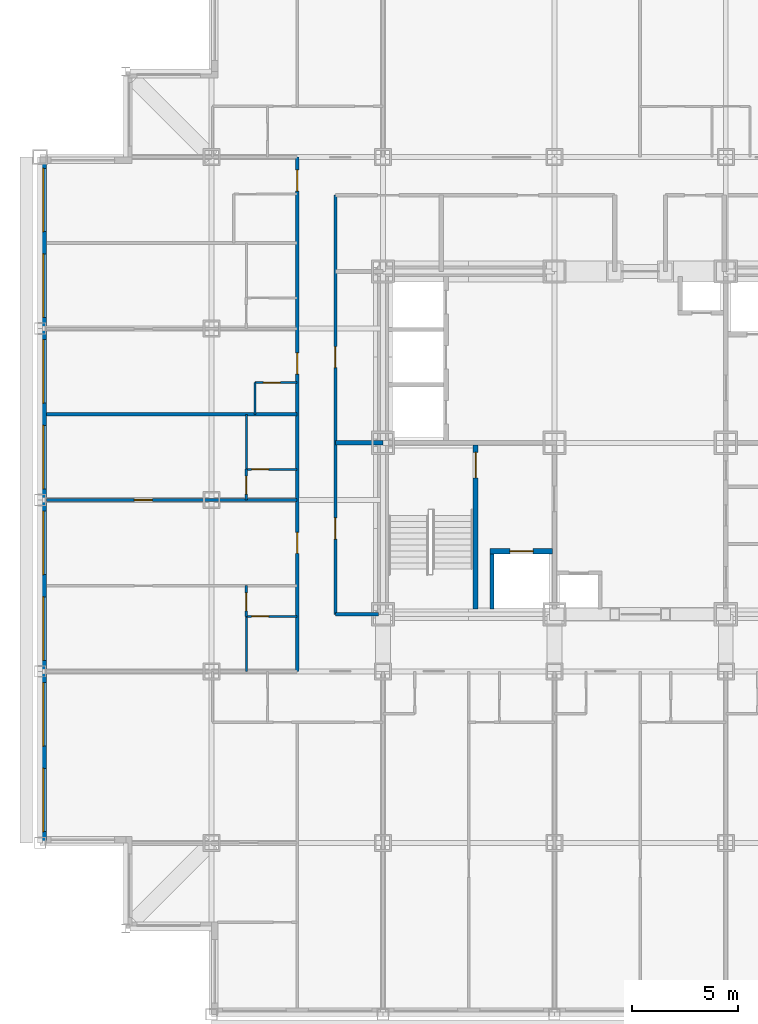
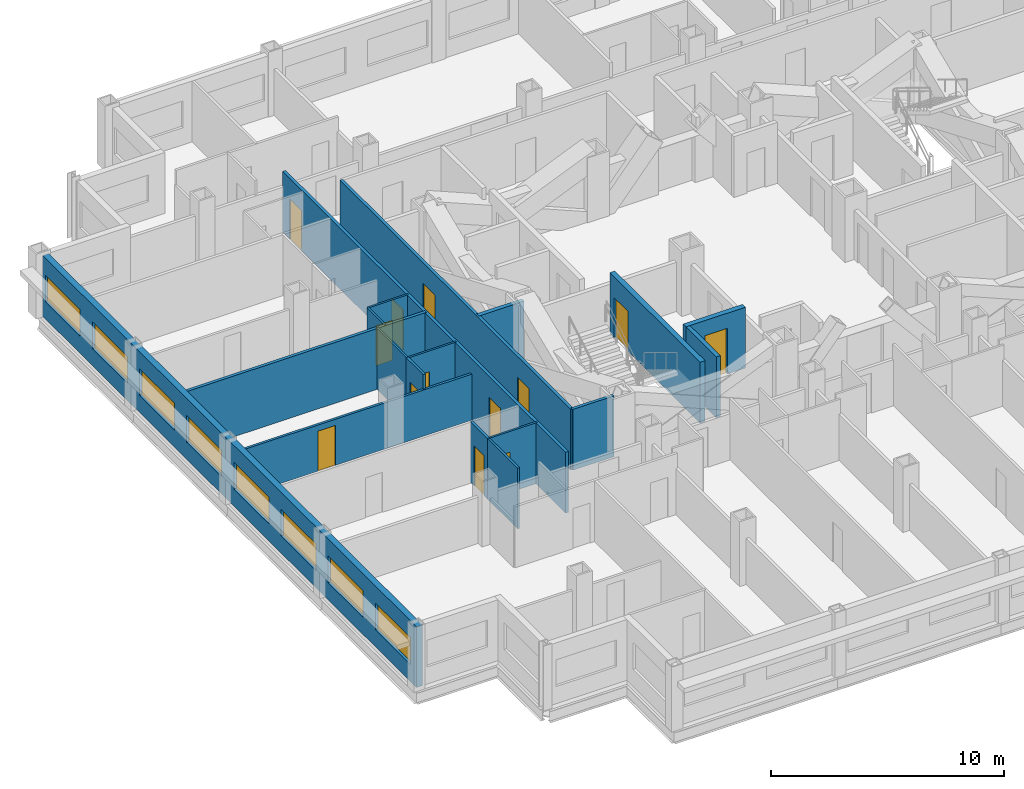
# One storey, part 5 of 12: 18 walls, 13 doors, 8 windows, 21 openings.
"""IFC4 building model written with IfcOpenShell, lengths in metres."""

from ifc_helpers import new_model, si_unit, direction, frame, frame_2d, origin, place, context, subcontext, project, spatial, rectangle, extrude, material, layer, layer_set, type_object, element, fill, save


model = new_model("IFC4")

# Units and contexts
model_context = context("Model", 3, precision=1e-05, world=origin(), true_north=direction((0.0, 1.0)))
body_context = subcontext(model_context, "Body", "Model", "MODEL_VIEW")
ifc_project = project(units=[si_unit("LENGTHUNIT", "METRE"), si_unit("AREAUNIT", "SQUARE_METRE"), si_unit("VOLUMEUNIT", "CUBIC_METRE"), si_unit("PLANEANGLEUNIT", "RADIAN"), si_unit("MASSUNIT", "GRAM", prefix="KILO")], contexts=[model_context])

# Site, building, storey
site_placement = place(None, origin())
site = spatial("IfcSite", under=ifc_project, at=site_placement, CompositionType="ELEMENT")
building_placement = place(site_placement, origin())
building = spatial("IfcBuilding", under=site, at=building_placement, Name="Kopane Lantern Tower", CompositionType="ELEMENT")
storey_placement = place(building_placement, frame((0.0, 0.0, 144.199951171875)))
storey = spatial("IfcBuildingStorey", under=building, at=storey_placement, Name="L37", CompositionType="ELEMENT", Elevation=144.199951171875)

# Wall, opening, door
ifc_material_1 = material(Name="Gypsum board on steel studs", Category="steel")
ifc_layer_1 = layer(ifc_material_1, 0.1201171875)
ifc_layer_set_1 = layer_set([ifc_layer_1], Name="APARTMENT INTERNAL WALL 120")
wall_type_1 = type_object("IfcWallType", Name="APARTMENT INTERNAL WALL 120", PredefinedType="PARTITIONING", material=ifc_layer_set_1)
wall_1_placement = place(storey_placement, frame((12.14990234375, 29.699951171875, 0.0), z_axis=(0.0, 0.0, 1.0), x_axis=(-1.0, 0.0, 0.0)))
wall_1 = element("IfcWall", 1, at=wall_1_placement, inside=storey, type_object=wall_type_1, Name="Apartment Internal Wall 120 L37", PredefinedType="PARTITIONING", context=body_context, shape_type="SweptSolid", body=[
    extrude(rectangle(XDim=11.849853515625, YDim=0.1201171875, at=frame_2d((5.9248046875, 0.0))), origin(), (0.0, 0.0, 1.0), 2.420166015625),
])
opening_1_placement = place(wall_1_placement, frame((6.85009765625, 0.0, 0.0)))
opening_1 = element("IfcOpeningElement", 2, at=opening_1_placement, cuts=wall_1, Name="Opening L37-038", PredefinedType="OPENING", context=body_context, shape_type="SweptSolid", body=[
    extrude(rectangle(XDim=0.85009765625, YDim=2.10009765625, at=frame_2d((0.425048828125, 1.050048828125))), frame((0.0, 0.070068359375, 0.0), z_axis=(0.0, -1.0, 0.0), x_axis=(1.0, 0.0, 0.0)), (0.0, 0.0, 1.0), 0.14013671875),
])
ifc_material_2 = material(Name="Timber door set", Category="wood")
door_type_1 = type_object("IfcDoorType", Name="DOOR D4 850x2100", OperationType="SINGLE_SWING_LEFT", PredefinedType="DOOR", material=ifc_material_2)
door_1_placement = place(opening_1_placement, origin())
door_1 = element("IfcDoor", 3, at=door_1_placement, inside=storey, type_object=door_type_1, Name="Door L37-038", OperationType="SINGLE_SWING_RIGHT", OverallHeight=2.10009765625, OverallWidth=0.85009765625, PredefinedType="DOOR", context=body_context, shape_type="SweptSolid", body=[
    extrude(rectangle(XDim=0.85009765625, YDim=2.10009765625, at=frame_2d((0.425048828125, 1.050048828125))), frame((0.0, 0.02490234375, 0.0), z_axis=(0.0, -1.0, 0.0), x_axis=(1.0, 0.0, 0.0)), (0.0, 0.0, 1.0), 0.050048828125),
])
fill(opening_1, door_1)

wall_2_placement = place(storey_placement, frame((9.75, 24.18994140625, 0.0), z_axis=(0.0, 0.0, 1.0), x_axis=(0.0, 1.0, 0.0)))
wall_2 = element("IfcWall", 4, at=wall_2_placement, inside=storey, type_object=wall_type_1, Name="Apartment Internal Wall 120 L37", PredefinedType="PARTITIONING", context=body_context, shape_type="SweptSolid", body=[
    extrude(rectangle(XDim=1.4599609375, YDim=0.1201171875, at=frame_2d((0.72998046875, 0.0))), origin(), (0.0, 0.0, 1.0), 3.18994140625),
])
opening_2_placement = place(wall_2_placement, frame((0.27490234375, 0.0, 0.0)))
opening_2 = element("IfcOpeningElement", 5, at=opening_2_placement, cuts=wall_2, Name="Opening L37-076", PredefinedType="OPENING", context=body_context, shape_type="SweptSolid", body=[
    extrude(rectangle(XDim=0.85009765625, YDim=2.10009765625, at=frame_2d((0.425048828125, 1.050048828125))), frame((0.0, 0.070068359375, 0.0), z_axis=(0.0, -1.0, 0.0), x_axis=(1.0, 0.0, 0.0)), (0.0, 0.0, 1.0), 0.14013671875),
])
door_2_placement = place(opening_2_placement, origin())
door_2 = element("IfcDoor", 6, at=door_2_placement, inside=storey, type_object=door_type_1, Name="Door L37-076", OperationType="SINGLE_SWING_RIGHT", OverallHeight=2.10009765625, OverallWidth=0.85009765625, PredefinedType="DOOR", context=body_context, shape_type="SweptSolid", body=[
    extrude(rectangle(XDim=0.85009765625, YDim=2.10009765625, at=frame_2d((0.425048828125, 1.050048828125))), frame((0.0, 0.02490234375, 0.0), z_axis=(0.0, -1.0, 0.0), x_axis=(1.0, 0.0, 0.0)), (0.0, 0.0, 1.0), 0.050048828125),
])
fill(opening_2, door_2)

wall_3_placement = place(storey_placement, frame((9.75, 29.699951171875, 0.0), z_axis=(0.0, 0.0, 1.0), x_axis=(0.0, 1.0, 0.0)))
wall_3 = element("IfcWall", 7, at=wall_3_placement, inside=storey, type_object=wall_type_1, Name="Apartment Internal Wall 120 L37", PredefinedType="PARTITIONING", context=body_context, shape_type="SweptSolid", body=[
    extrude(rectangle(XDim=1.4599609375, YDim=0.1201171875, at=frame_2d((0.72998046875, 0.0))), origin(), (0.0, 0.0, 1.0), 3.18994140625),
])
opening_3_placement = place(wall_3_placement, frame((0.27490234375, 0.0, 0.0)))
opening_3 = element("IfcOpeningElement", 8, at=opening_3_placement, cuts=wall_3, Name="Opening L37-077", PredefinedType="OPENING", context=body_context, shape_type="SweptSolid", body=[
    extrude(rectangle(XDim=0.85009765625, YDim=2.10009765625, at=frame_2d((0.425048828125, 1.050048828125))), frame((0.0, 0.070068359375, 0.0), z_axis=(0.0, -1.0, 0.0), x_axis=(1.0, 0.0, 0.0)), (0.0, 0.0, 1.0), 0.14013671875),
])
door_3_placement = place(opening_3_placement, origin())
door_3 = element("IfcDoor", 9, at=door_3_placement, inside=storey, type_object=door_type_1, Name="Door L37-077", OperationType="SINGLE_SWING_LEFT", OverallHeight=2.10009765625, OverallWidth=0.85009765625, PredefinedType="DOOR", context=body_context, shape_type="SweptSolid", body=[
    extrude(rectangle(XDim=0.85009765625, YDim=2.10009765625, at=frame_2d((0.425048828125, 1.050048828125))), frame((0.0, 0.02490234375, 0.0), z_axis=(0.0, -1.0, 0.0), x_axis=(1.0, 0.0, 0.0)), (0.0, 0.0, 1.0), 0.050048828125),
])
fill(opening_3, door_3)

# Wall
ifc_material_3 = material(Name="Moisture-resistant board on steel studs", Category="steel")
ifc_layer_2 = layer(ifc_material_3, 0.10009765625)
ifc_layer_set_2 = layer_set([ifc_layer_2], Name="BATHROOM WALL 100")
wall_type_2 = type_object("IfcWallType", Name="BATHROOM WALL 100", PredefinedType="PARTITIONING", material=ifc_layer_set_2)
wall_4_placement = place(storey_placement, frame((9.75, 21.60009765625, 0.0), z_axis=(0.0, 0.0, 1.0), x_axis=(0.0, 1.0, 0.0)))
element("IfcWall", 10, at=wall_4_placement, inside=storey, type_object=wall_type_2, Name="Bathroom Wall 100 L37", PredefinedType="PARTITIONING", context=body_context, shape_type="SweptSolid", body=[
    extrude(rectangle(XDim=2.599853515625, YDim=0.10009765625, at=frame_2d((1.2998046875, 0.0))), origin(), (0.0, 0.0, 1.0), 3.18994140625),
])

# Wall, opening, door
wall_5_placement = place(storey_placement, frame((12.14990234375, 24.199951171875, 0.0), z_axis=(0.0, 0.0, 1.0), x_axis=(-1.0, 0.0, 0.0)))
wall_5 = element("IfcWall", 11, at=wall_5_placement, inside=storey, type_object=wall_type_2, Name="Bathroom Wall 100 L37", PredefinedType="PARTITIONING", context=body_context, shape_type="SweptSolid", body=[
    extrude(rectangle(XDim=2.39990234375, YDim=0.10009765625, at=frame_2d((1.199951171875, 0.0))), origin(), (0.0, 0.0, 1.0), 3.18994140625),
])
opening_4_placement = place(wall_5_placement, frame((1.35009765625, 0.0, 0.0)))
opening_4 = element("IfcOpeningElement", 12, at=opening_4_placement, cuts=wall_5, Name="Opening L37-035", PredefinedType="OPENING", context=body_context, shape_type="SweptSolid", body=[
    extrude(rectangle(XDim=0.800048828125, YDim=2.10009765625, at=frame_2d((0.39990234375, 1.050048828125))), frame((0.0, 0.06005859375, 0.0), z_axis=(0.0, -1.0, 0.0), x_axis=(1.0, 0.0, 0.0)), (0.0, 0.0, 1.0), 0.1201171875),
])
ifc_material_4 = material(Name="Timber door set", Category="wood")
door_type_2 = type_object("IfcDoorType", Name="DOOR D2 800x2100", OperationType="SINGLE_SWING_LEFT", PredefinedType="DOOR", material=ifc_material_4)
door_4_placement = place(opening_4_placement, origin())
door_4 = element("IfcDoor", 13, at=door_4_placement, inside=storey, type_object=door_type_2, Name="Door L37-035", OperationType="SINGLE_SWING_LEFT", OverallHeight=2.10009765625, OverallWidth=0.800048828125, PredefinedType="DOOR", context=body_context, shape_type="SweptSolid", body=[
    extrude(rectangle(XDim=0.800048828125, YDim=2.10009765625, at=frame_2d((0.39990234375, 1.050048828125))), frame((0.0, 0.02490234375, 0.0), z_axis=(0.0, -1.0, 0.0), x_axis=(1.0, 0.0, 0.0)), (0.0, 0.0, 1.0), 0.050048828125),
])
fill(opening_4, door_4)

# Wall
wall_6_placement = place(storey_placement, frame((9.75, 31.14990234375, 0.0), z_axis=(0.0, 0.0, 1.0), x_axis=(0.0, 1.0, 0.0)))
element("IfcWall", 14, at=wall_6_placement, inside=storey, type_object=wall_type_2, Name="Bathroom Wall 100 L37", PredefinedType="PARTITIONING", context=body_context, shape_type="SweptSolid", body=[
    extrude(rectangle(XDim=2.60009765625, YDim=0.10009765625, at=frame_2d((1.300048828125, 0.0))), origin(), (0.0, 0.0, 1.0), 3.18994140625),
])

# Wall, opening, door
wall_7_placement = place(storey_placement, frame((12.14990234375, 31.14990234375, 0.0), z_axis=(0.0, 0.0, 1.0), x_axis=(-1.0, 0.0, 0.0)))
wall_7 = element("IfcWall", 15, at=wall_7_placement, inside=storey, type_object=wall_type_2, Name="Bathroom Wall 100 L37", PredefinedType="PARTITIONING", context=body_context, shape_type="SweptSolid", body=[
    extrude(rectangle(XDim=2.39990234375, YDim=0.10009765625, at=frame_2d((1.199951171875, 0.0))), origin(), (0.0, 0.0, 1.0), 3.18994140625),
])
opening_5_placement = place(wall_7_placement, frame((1.35009765625, 0.0, 0.0)))
opening_5 = element("IfcOpeningElement", 16, at=opening_5_placement, cuts=wall_7, Name="Opening L37-037", PredefinedType="OPENING", context=body_context, shape_type="SweptSolid", body=[
    extrude(rectangle(XDim=0.800048828125, YDim=2.10009765625, at=frame_2d((0.39990234375, 1.050048828125))), frame((0.0, 0.06005859375, 0.0), z_axis=(0.0, -1.0, 0.0), x_axis=(1.0, 0.0, 0.0)), (0.0, 0.0, 1.0), 0.1201171875),
])
door_5_placement = place(opening_5_placement, origin())
door_5 = element("IfcDoor", 17, at=door_5_placement, inside=storey, type_object=door_type_2, Name="Door L37-037", OperationType="SINGLE_SWING_RIGHT", OverallHeight=2.10009765625, OverallWidth=0.800048828125, PredefinedType="DOOR", context=body_context, shape_type="SweptSolid", body=[
    extrude(rectangle(XDim=0.800048828125, YDim=2.10009765625, at=frame_2d((0.39990234375, 1.050048828125))), frame((0.0, 0.02490234375, 0.0), z_axis=(0.0, -1.0, 0.0), x_axis=(1.0, 0.0, 0.0)), (0.0, 0.0, 1.0), 0.050048828125),
])
fill(opening_5, door_5)

# Wall
wall_8_placement = place(storey_placement, frame((10.14990234375, 33.75, 0.0), z_axis=(0.0, 0.0, 1.0), x_axis=(0.0, 1.0, 0.0)))
element("IfcWall", 18, at=wall_8_placement, inside=storey, type_object=wall_type_2, Name="Bathroom Wall 100 L37", PredefinedType="PARTITIONING", context=body_context, shape_type="SweptSolid", body=[
    extrude(rectangle(XDim=1.5, YDim=0.10009765625, at=frame_2d((0.75, 0.0))), origin(), (0.0, 0.0, 1.0), 3.18994140625),
])

# Wall, opening, door
wall_9_placement = place(storey_placement, frame((12.14990234375, 35.25, 0.0), z_axis=(0.0, 0.0, 1.0), x_axis=(-1.0, 0.0, 0.0)))
wall_9 = element("IfcWall", 19, at=wall_9_placement, inside=storey, type_object=wall_type_2, Name="Bathroom Wall 100 L37", PredefinedType="PARTITIONING", context=body_context, shape_type="SweptSolid", body=[
    extrude(rectangle(XDim=2.0, YDim=0.10009765625, at=frame_2d((1.0, 0.0))), origin(), (0.0, 0.0, 1.0), 3.18994140625),
])
opening_6_placement = place(wall_9_placement, frame((0.800048828125, 0.0, 0.0)))
opening_6 = element("IfcOpeningElement", 20, at=opening_6_placement, cuts=wall_9, Name="Opening L37-039", PredefinedType="OPENING", context=body_context, shape_type="SweptSolid", body=[
    extrude(rectangle(XDim=0.800048828125, YDim=2.10009765625, at=frame_2d((0.39990234375, 1.050048828125))), frame((0.0, 0.06005859375, 0.0), z_axis=(0.0, -1.0, 0.0), x_axis=(1.0, 0.0, 0.0)), (0.0, 0.0, 1.0), 0.1201171875),
])
door_6_placement = place(opening_6_placement, origin())
door_6 = element("IfcDoor", 21, at=door_6_placement, inside=storey, type_object=door_type_2, Name="Door L37-039", OperationType="SINGLE_SWING_RIGHT", OverallHeight=2.10009765625, OverallWidth=0.800048828125, PredefinedType="DOOR", context=body_context, shape_type="SweptSolid", body=[
    extrude(rectangle(XDim=0.800048828125, YDim=2.10009765625, at=frame_2d((0.39990234375, 1.050048828125))), frame((0.0, 0.02490234375, 0.0), z_axis=(0.0, -1.0, 0.0), x_axis=(1.0, 0.0, 0.0)), (0.0, 0.0, 1.0), 0.050048828125),
])
fill(opening_6, door_6)

ifc_material_5 = material(Name="Gypsum shaft wall EI 120", Category="gypsum")
ifc_layer_3 = layer(ifc_material_5, 0.25)
ifc_layer_set_3 = layer_set([ifc_layer_3], Name="CORE SHAFT WALL 250 EI 120")
wall_type_3 = type_object("IfcWallType", Name="CORE SHAFT WALL 250 EI 120", PredefinedType="SOLIDWALL", material=ifc_layer_set_3)
wall_10_placement = place(storey_placement, frame((20.574951171875, 24.550048828125, 0.0), z_axis=(0.0, 0.0, 1.0), x_axis=(0.0, 1.0, 0.0)))
wall_10 = element("IfcWall", 22, at=wall_10_placement, inside=storey, type_object=wall_type_3, Name="Core shaft wall L37 XST1", PredefinedType="SOLIDWALL", context=body_context, shape_type="SweptSolid", body=[
    extrude(rectangle(XDim=7.75, YDim=0.25, at=frame_2d((3.875, 0.0))), origin(), (0.0, 0.0, 1.0), 3.18994140625),
])
opening_7_placement = place(wall_10_placement, frame((6.199951171875, 0.0, 0.0)))
opening_7 = element("IfcOpeningElement", 23, at=opening_7_placement, cuts=wall_10, Name="Opening 37.SD1", PredefinedType="OPENING", context=body_context, shape_type="SweptSolid", body=[
    extrude(rectangle(XDim=1.199951171875, YDim=2.10009765625, at=frame_2d((0.60009765625, 1.050048828125))), frame((0.0, 0.135009765625, 0.0), z_axis=(0.0, -1.0, 0.0), x_axis=(1.0, 0.0, 0.0)), (0.0, 0.0, 1.0), 0.27001953125),
])
ifc_material_6 = material(Name="Steel door set", Category="steel")
door_type_3 = type_object("IfcDoorType", Name="STAIR DOOR 1200x2100 FD60S", OperationType="SINGLE_SWING_LEFT", PredefinedType="DOOR", material=ifc_material_6)
door_7_placement = place(opening_7_placement, origin())
door_7 = element("IfcDoor", 24, at=door_7_placement, inside=storey, type_object=door_type_3, Name="Stair door ST1 L37", OperationType="SINGLE_SWING_LEFT", OverallHeight=2.10009765625, OverallWidth=1.199951171875, PredefinedType="DOOR", context=body_context, shape_type="SweptSolid", body=[
    extrude(rectangle(XDim=1.199951171875, YDim=2.10009765625, at=frame_2d((0.60009765625, 1.050048828125))), frame((0.0, 0.02490234375, 0.0), z_axis=(0.0, -1.0, 0.0), x_axis=(1.0, 0.0, 0.0)), (0.0, 0.0, 1.0), 0.050048828125),
])
fill(opening_7, door_7)

wall_11_placement = place(storey_placement, frame((21.25, 27.27490234375, 0.0), z_axis=(0.0, 0.0, 1.0), x_axis=(1.0, 0.0, 0.0)))
wall_11 = element("IfcWall", 25, at=wall_11_placement, inside=storey, type_object=wall_type_3, Name="Core shaft wall L37 YLF1", PredefinedType="SOLIDWALL", context=body_context, shape_type="SweptSolid", body=[
    extrude(rectangle(XDim=2.949951171875, YDim=0.25, at=frame_2d((1.47509765625, 0.0))), origin(), (0.0, 0.0, 1.0), 3.18994140625),
])
opening_8_placement = place(wall_11_placement, frame((0.949951171875, 0.0, 0.0)))
opening_8 = element("IfcOpeningElement", 26, at=opening_8_placement, cuts=wall_11, Name="Opening 37.LD-LF1", PredefinedType="OPENING", context=body_context, shape_type="SweptSolid", body=[
    extrude(rectangle(XDim=1.10009765625, YDim=2.39990234375, at=frame_2d((0.550048828125, 1.199951171875))), frame((0.0, 0.135009765625, 0.0), z_axis=(0.0, -1.0, 0.0), x_axis=(1.0, 0.0, 0.0)), (0.0, 0.0, 1.0), 0.27001953125),
])
ifc_material_7 = material(Name="Steel door set", Category="steel")
door_type_4 = type_object("IfcDoorType", Name="LIFT LANDING DOOR 1100x2400 FD60", OperationType="DOUBLE_DOOR_SLIDING", PredefinedType="DOOR", material=ifc_material_7)
door_8_placement = place(opening_8_placement, origin())
door_8 = element("IfcDoor", 27, at=door_8_placement, inside=storey, type_object=door_type_4, Name="Landing door LF1 L37", OperationType="DOUBLE_DOOR_SLIDING", OverallHeight=2.39990234375, OverallWidth=1.10009765625, PredefinedType="DOOR", context=body_context, shape_type="SweptSolid", body=[
    extrude(rectangle(XDim=1.10009765625, YDim=2.39990234375, at=frame_2d((0.550048828125, 1.199951171875))), frame((0.0, 0.02490234375, 0.0), z_axis=(0.0, -1.0, 0.0), x_axis=(1.0, 0.0, 0.0)), (0.0, 0.0, 1.0), 0.050048828125),
])
fill(opening_8, door_8)

# Wall, openings, doors
ifc_material_8 = material(Name="Gypsum board on steel studs", Category="steel")
ifc_layer_4 = layer(ifc_material_8, 0.14990234375)
ifc_layer_set_4 = layer_set([ifc_layer_4], Name="CORRIDOR WALL 150 EI 60")
wall_type_4 = type_object("IfcWallType", Name="CORRIDOR WALL 150 EI 60", PredefinedType="PARTITIONING", material=ifc_layer_set_4)
wall_12_placement = place(storey_placement, frame((12.14990234375, 21.60009765625, 0.0), z_axis=(0.0, 0.0, 1.0), x_axis=(0.0, 1.0, 0.0)))
wall_12 = element("IfcWall", 28, at=wall_12_placement, inside=storey, type_object=wall_type_4, Name="Corridor Wall 150 Ei 60 L37", PredefinedType="PARTITIONING", context=body_context, shape_type="SweptSolid", body=[
    extrude(rectangle(XDim=24.2998046875, YDim=0.14990234375, at=frame_2d((12.14990234375, 0.0))), origin(), (0.0, 0.0, 1.0), 3.18994140625),
])
opening_9_placement = place(wall_12_placement, frame((5.574951171875, 0.0, 0.0)))
opening_9 = element("IfcOpeningElement", 29, at=opening_9_placement, cuts=wall_12, Name="Opening L37-034", PredefinedType="OPENING", context=body_context, shape_type="SweptSolid", body=[
    extrude(rectangle(XDim=1.0, YDim=2.10009765625, at=frame_2d((0.5, 1.050048828125))), frame((0.0, 0.0849609375, 0.0), z_axis=(0.0, -1.0, 0.0), x_axis=(1.0, 0.0, 0.0)), (0.0, 0.0, 1.0), 0.169921875),
])
opening_10_placement = place(wall_12_placement, frame((14.050048828125, 0.0, 0.0)))
opening_10 = element("IfcOpeningElement", 30, at=opening_10_placement, cuts=wall_12, Name="Opening L37-040", PredefinedType="OPENING", context=body_context, shape_type="SweptSolid", body=[
    extrude(rectangle(XDim=1.0, YDim=2.10009765625, at=frame_2d((0.5, 1.050048828125))), frame((0.0, 0.0849609375, 0.0), z_axis=(0.0, -1.0, 0.0), x_axis=(1.0, 0.0, 0.0)), (0.0, 0.0, 1.0), 0.169921875),
])
opening_11_placement = place(wall_12_placement, frame((22.699951171875, 0.0, 0.0)))
opening_11 = element("IfcOpeningElement", 31, at=opening_11_placement, cuts=wall_12, Name="Opening L37-044", PredefinedType="OPENING", context=body_context, shape_type="SweptSolid", body=[
    extrude(rectangle(XDim=1.0, YDim=2.10009765625, at=frame_2d((0.5, 1.050048828125))), frame((0.0, 0.0849609375, 0.0), z_axis=(0.0, -1.0, 0.0), x_axis=(1.0, 0.0, 0.0)), (0.0, 0.0, 1.0), 0.169921875),
])
ifc_material_9 = material(Name="Steel door set", Category="steel")
door_type_5 = type_object("IfcDoorType", Name="DOOR D1 1000x2100 FD30S", OperationType="SINGLE_SWING_LEFT", PredefinedType="DOOR", material=ifc_material_9)
door_9_placement = place(opening_9_placement, origin())
door_9 = element("IfcDoor", 32, at=door_9_placement, inside=storey, type_object=door_type_5, Name="Door L37-034", OperationType="SINGLE_SWING_LEFT", OverallHeight=2.10009765625, OverallWidth=1.0, PredefinedType="DOOR", context=body_context, shape_type="SweptSolid", body=[
    extrude(rectangle(XDim=1.0, YDim=2.10009765625, at=frame_2d((0.5, 1.050048828125))), frame((0.0, 0.02490234375, 0.0), z_axis=(0.0, -1.0, 0.0), x_axis=(1.0, 0.0, 0.0)), (0.0, 0.0, 1.0), 0.050048828125),
])
fill(opening_9, door_9)
door_10_placement = place(opening_10_placement, origin())
door_10 = element("IfcDoor", 33, at=door_10_placement, inside=storey, type_object=door_type_5, Name="Door L37-040", OperationType="SINGLE_SWING_LEFT", OverallHeight=2.10009765625, OverallWidth=1.0, PredefinedType="DOOR", context=body_context, shape_type="SweptSolid", body=[
    extrude(rectangle(XDim=1.0, YDim=2.10009765625, at=frame_2d((0.5, 1.050048828125))), frame((0.0, 0.02490234375, 0.0), z_axis=(0.0, -1.0, 0.0), x_axis=(1.0, 0.0, 0.0)), (0.0, 0.0, 1.0), 0.050048828125),
])
fill(opening_10, door_10)
door_11_placement = place(opening_11_placement, origin())
door_11 = element("IfcDoor", 34, at=door_11_placement, inside=storey, type_object=door_type_5, Name="Door L37-044", OperationType="SINGLE_SWING_LEFT", OverallHeight=2.10009765625, OverallWidth=1.0, PredefinedType="DOOR", context=body_context, shape_type="SweptSolid", body=[
    extrude(rectangle(XDim=1.0, YDim=2.10009765625, at=frame_2d((0.5, 1.050048828125))), frame((0.0, 0.02490234375, 0.0), z_axis=(0.0, -1.0, 0.0), x_axis=(1.0, 0.0, 0.0)), (0.0, 0.0, 1.0), 0.050048828125),
])
fill(opening_11, door_11)

wall_13_placement = place(storey_placement, frame((13.949951171875, 44.10009765625, 0.0), z_axis=(0.0, 0.0, 1.0), x_axis=(0.0, -1.0, 0.0)))
wall_13 = element("IfcWall", 35, at=wall_13_placement, inside=storey, type_object=wall_type_4, Name="Corridor Wall 150 Ei 60 L37", PredefinedType="PARTITIONING", context=body_context, shape_type="SweptSolid", body=[
    extrude(rectangle(XDim=19.800048828125, YDim=0.14990234375, at=frame_2d((9.89990234375, 0.0))), origin(), (0.0, 0.0, 1.0), 3.18994140625),
])
opening_12_placement = place(wall_13_placement, frame((15.25, 0.0, 0.0)))
opening_12 = element("IfcOpeningElement", 36, at=opening_12_placement, cuts=wall_13, Name="Opening L37-001", PredefinedType="OPENING", context=body_context, shape_type="SweptSolid", body=[
    extrude(rectangle(XDim=1.0, YDim=2.10009765625, at=frame_2d((0.5, 1.050048828125))), frame((0.0, 0.0849609375, 0.0), z_axis=(0.0, -1.0, 0.0), x_axis=(1.0, 0.0, 0.0)), (0.0, 0.0, 1.0), 0.169921875),
])
opening_13_placement = place(wall_13_placement, frame((7.14990234375, 0.0, 0.0)))
opening_13 = element("IfcOpeningElement", 37, at=opening_13_placement, cuts=wall_13, Name="Opening L37-002", PredefinedType="OPENING", context=body_context, shape_type="SweptSolid", body=[
    extrude(rectangle(XDim=1.0, YDim=2.10009765625, at=frame_2d((0.5, 1.050048828125))), frame((0.0, 0.0849609375, 0.0), z_axis=(0.0, -1.0, 0.0), x_axis=(1.0, 0.0, 0.0)), (0.0, 0.0, 1.0), 0.169921875),
])
ifc_material_10 = material(Name="Steel door set", Category="steel")
door_type_6 = type_object("IfcDoorType", Name="DOOR D5 1000x2100 FD60", OperationType="SINGLE_SWING_LEFT", PredefinedType="DOOR", material=ifc_material_10)
door_12_placement = place(opening_12_placement, origin())
door_12 = element("IfcDoor", 38, at=door_12_placement, inside=storey, type_object=door_type_6, Name="Door L37-001", OperationType="SINGLE_SWING_RIGHT", OverallHeight=2.10009765625, OverallWidth=1.0, PredefinedType="DOOR", context=body_context, shape_type="SweptSolid", body=[
    extrude(rectangle(XDim=1.0, YDim=2.10009765625, at=frame_2d((0.5, 1.050048828125))), frame((0.0, 0.02490234375, 0.0), z_axis=(0.0, -1.0, 0.0), x_axis=(1.0, 0.0, 0.0)), (0.0, 0.0, 1.0), 0.050048828125),
])
fill(opening_12, door_12)
door_13_placement = place(opening_13_placement, origin())
door_13 = element("IfcDoor", 39, at=door_13_placement, inside=storey, type_object=door_type_6, Name="Door L37-002", OperationType="SINGLE_SWING_LEFT", OverallHeight=2.10009765625, OverallWidth=1.0, PredefinedType="DOOR", context=body_context, shape_type="SweptSolid", body=[
    extrude(rectangle(XDim=1.0, YDim=2.10009765625, at=frame_2d((0.5, 1.050048828125))), frame((0.0, 0.02490234375, 0.0), z_axis=(0.0, -1.0, 0.0), x_axis=(1.0, 0.0, 0.0)), (0.0, 0.0, 1.0), 0.050048828125),
])
fill(opening_13, door_13)

# Walls
wall_14_placement = place(storey_placement, frame((13.949951171875, 24.300048828125, 0.0), z_axis=(0.0, 0.0, 1.0), x_axis=(1.0, 0.0, 0.0)))
element("IfcWall", 40, at=wall_14_placement, inside=storey, type_object=wall_type_4, Name="Corridor Wall 150 Ei 60 L37", PredefinedType="PARTITIONING", context=body_context, shape_type="SweptSolid", body=[
    extrude(rectangle(XDim=2.050048828125, YDim=0.14990234375, at=frame_2d((1.02490234375, 0.0))), origin(), (0.0, 0.0, 1.0), 3.18994140625),
])
ifc_material_11 = material(Name="Gypsum board on steel studs", Category="steel")
ifc_layer_5 = layer(ifc_material_11, 0.14990234375)
ifc_layer_set_5 = layer_set([ifc_layer_5], Name="DEMISING WALL 150 EI 60")
wall_type_5 = type_object("IfcWallType", Name="DEMISING WALL 150 EI 60", PredefinedType="PARTITIONING", material=ifc_layer_set_5)
wall_15_placement = place(storey_placement, frame((12.14990234375, 33.75, 0.0), z_axis=(0.0, 0.0, 1.0), x_axis=(-1.0, 0.0, 0.0)))
element("IfcWall", 41, at=wall_15_placement, inside=storey, type_object=wall_type_5, Name="Demising Wall 150 Ei 60 L37", PredefinedType="PARTITIONING", context=body_context, shape_type="SweptSolid", body=[
    extrude(rectangle(XDim=11.849853515625, YDim=0.14990234375, at=frame_2d((5.9248046875, 0.0))), origin(), (0.0, 0.0, 1.0), 3.18994140625),
])

# Wall, openings, windows
ifc_material_12 = material(Name="Terracotta rainscreen on light steel framing", Category="masonry")
ifc_layer_6 = layer(ifc_material_12, 0.300048828125)
ifc_layer_set_6 = layer_set([ifc_layer_6], Name="EXTERNAL WALL EW1 300 TERRACOTTA")
wall_type_6 = type_object("IfcWallType", Name="EXTERNAL WALL EW1 300 TERRACOTTA", PredefinedType="SOLIDWALL", material=ifc_layer_set_6)
wall_16_placement = place(storey_placement, frame((0.14990234375, 45.60009765625, 0.0), z_axis=(0.0, 0.0, 1.0), x_axis=(0.0, -1.0, 0.0)))
wall_16 = element("IfcWall", 42, at=wall_16_placement, inside=storey, type_object=wall_type_6, Name="External wall W L37", PredefinedType="SOLIDWALL", context=body_context, shape_type="SweptSolid", body=[
    extrude(rectangle(XDim=32.10009765625, YDim=0.300048828125, at=frame_2d((16.050048828125, 0.0))), origin(), (0.0, 0.0, 1.0), 3.18994140625),
])
opening_14_placement = place(wall_16_placement, frame((0.22509765625, 0.0, 0.89990234375)))
opening_14 = element("IfcOpeningElement", 43, at=opening_14_placement, cuts=wall_16, Name="Opening WR300140", PredefinedType="OPENING", context=body_context, shape_type="SweptSolid", body=[
    extrude(rectangle(XDim=3.0, YDim=1.39990234375, at=frame_2d((1.5, 0.699951171875))), frame((0.0, 0.159912109375, 0.0), z_axis=(0.0, -1.0, 0.0), x_axis=(1.0, 0.0, 0.0)), (0.0, 0.0, 1.0), 0.320068359375),
])
opening_15_placement = place(wall_16_placement, frame((4.27490234375, 0.0, 0.89990234375)))
opening_15 = element("IfcOpeningElement", 44, at=opening_15_placement, cuts=wall_16, Name="Opening WR300140", PredefinedType="OPENING", context=body_context, shape_type="SweptSolid", body=[
    extrude(rectangle(XDim=3.0, YDim=1.39990234375, at=frame_2d((1.5, 0.699951171875))), frame((0.0, 0.159912109375, 0.0), z_axis=(0.0, -1.0, 0.0), x_axis=(1.0, 0.0, 0.0)), (0.0, 0.0, 1.0), 0.320068359375),
])
opening_16_placement = place(wall_16_placement, frame((8.324951171875, 0.0, 0.89990234375)))
opening_16 = element("IfcOpeningElement", 45, at=opening_16_placement, cuts=wall_16, Name="Opening WR300140", PredefinedType="OPENING", context=body_context, shape_type="SweptSolid", body=[
    extrude(rectangle(XDim=3.0, YDim=1.39990234375, at=frame_2d((1.5, 0.699951171875))), frame((0.0, 0.159912109375, 0.0), z_axis=(0.0, -1.0, 0.0), x_axis=(1.0, 0.0, 0.0)), (0.0, 0.0, 1.0), 0.320068359375),
])
opening_17_placement = place(wall_16_placement, frame((12.375, 0.0, 0.89990234375)))
opening_17 = element("IfcOpeningElement", 46, at=opening_17_placement, cuts=wall_16, Name="Opening WR300140", PredefinedType="OPENING", context=body_context, shape_type="SweptSolid", body=[
    extrude(rectangle(XDim=3.0, YDim=1.39990234375, at=frame_2d((1.5, 0.699951171875))), frame((0.0, 0.159912109375, 0.0), z_axis=(0.0, -1.0, 0.0), x_axis=(1.0, 0.0, 0.0)), (0.0, 0.0, 1.0), 0.320068359375),
])
opening_18_placement = place(wall_16_placement, frame((16.425048828125, 0.0, 0.89990234375)))
opening_18 = element("IfcOpeningElement", 47, at=opening_18_placement, cuts=wall_16, Name="Opening WR300140", PredefinedType="OPENING", context=body_context, shape_type="SweptSolid", body=[
    extrude(rectangle(XDim=3.0, YDim=1.39990234375, at=frame_2d((1.5, 0.699951171875))), frame((0.0, 0.159912109375, 0.0), z_axis=(0.0, -1.0, 0.0), x_axis=(1.0, 0.0, 0.0)), (0.0, 0.0, 1.0), 0.320068359375),
])
opening_19_placement = place(wall_16_placement, frame((20.47509765625, 0.0, 0.89990234375)))
opening_19 = element("IfcOpeningElement", 48, at=opening_19_placement, cuts=wall_16, Name="Opening WR300140", PredefinedType="OPENING", context=body_context, shape_type="SweptSolid", body=[
    extrude(rectangle(XDim=3.0, YDim=1.39990234375, at=frame_2d((1.5, 0.699951171875))), frame((0.0, 0.159912109375, 0.0), z_axis=(0.0, -1.0, 0.0), x_axis=(1.0, 0.0, 0.0)), (0.0, 0.0, 1.0), 0.320068359375),
])
opening_20_placement = place(wall_16_placement, frame((24.52490234375, 0.0, 0.89990234375)))
opening_20 = element("IfcOpeningElement", 49, at=opening_20_placement, cuts=wall_16, Name="Opening WR300140", PredefinedType="OPENING", context=body_context, shape_type="SweptSolid", body=[
    extrude(rectangle(XDim=3.0, YDim=1.39990234375, at=frame_2d((1.5, 0.699951171875))), frame((0.0, 0.159912109375, 0.0), z_axis=(0.0, -1.0, 0.0), x_axis=(1.0, 0.0, 0.0)), (0.0, 0.0, 1.0), 0.320068359375),
])
opening_21_placement = place(wall_16_placement, frame((28.574951171875, 0.0, 0.89990234375)))
opening_21 = element("IfcOpeningElement", 50, at=opening_21_placement, cuts=wall_16, Name="Opening WR300140", PredefinedType="OPENING", context=body_context, shape_type="SweptSolid", body=[
    extrude(rectangle(XDim=3.0, YDim=1.39990234375, at=frame_2d((1.5, 0.699951171875))), frame((0.0, 0.159912109375, 0.0), z_axis=(0.0, -1.0, 0.0), x_axis=(1.0, 0.0, 0.0)), (0.0, 0.0, 1.0), 0.320068359375),
])
ifc_material_13 = material(Name="Aluminium and clear glass", Category="aluminium")
window_type = type_object("IfcWindowType", Name="RIBBON WINDOW WR300140 3000x1400", PartitioningType="SINGLE_PANEL", PredefinedType="WINDOW", material=ifc_material_13)
window_1_placement = place(opening_14_placement, origin())
window_1 = element("IfcWindow", 51, at=window_1_placement, inside=storey, type_object=window_type, Name="Window W L37", OverallHeight=1.39990234375, OverallWidth=3.0, PartitioningType="SINGLE_PANEL", PredefinedType="WINDOW", context=body_context, shape_type="SweptSolid", body=[
    extrude(rectangle(XDim=3.0, YDim=1.39990234375, at=frame_2d((1.5, 0.699951171875))), frame((0.0, 0.030029296875, 0.0), z_axis=(0.0, -1.0, 0.0), x_axis=(1.0, 0.0, 0.0)), (0.0, 0.0, 1.0), 0.06005859375),
])
fill(opening_14, window_1)
window_2_placement = place(opening_15_placement, origin())
window_2 = element("IfcWindow", 52, at=window_2_placement, inside=storey, type_object=window_type, Name="Window W L37", OverallHeight=1.39990234375, OverallWidth=3.0, PartitioningType="SINGLE_PANEL", PredefinedType="WINDOW", context=body_context, shape_type="SweptSolid", body=[
    extrude(rectangle(XDim=3.0, YDim=1.39990234375, at=frame_2d((1.5, 0.699951171875))), frame((0.0, 0.030029296875, 0.0), z_axis=(0.0, -1.0, 0.0), x_axis=(1.0, 0.0, 0.0)), (0.0, 0.0, 1.0), 0.06005859375),
])
fill(opening_15, window_2)
window_3_placement = place(opening_16_placement, origin())
window_3 = element("IfcWindow", 53, at=window_3_placement, inside=storey, type_object=window_type, Name="Window W L37", OverallHeight=1.39990234375, OverallWidth=3.0, PartitioningType="SINGLE_PANEL", PredefinedType="WINDOW", context=body_context, shape_type="SweptSolid", body=[
    extrude(rectangle(XDim=3.0, YDim=1.39990234375, at=frame_2d((1.5, 0.699951171875))), frame((0.0, 0.030029296875, 0.0), z_axis=(0.0, -1.0, 0.0), x_axis=(1.0, 0.0, 0.0)), (0.0, 0.0, 1.0), 0.06005859375),
])
fill(opening_16, window_3)
window_4_placement = place(opening_17_placement, origin())
window_4 = element("IfcWindow", 54, at=window_4_placement, inside=storey, type_object=window_type, Name="Window W L37", OverallHeight=1.39990234375, OverallWidth=3.0, PartitioningType="SINGLE_PANEL", PredefinedType="WINDOW", context=body_context, shape_type="SweptSolid", body=[
    extrude(rectangle(XDim=3.0, YDim=1.39990234375, at=frame_2d((1.5, 0.699951171875))), frame((0.0, 0.030029296875, 0.0), z_axis=(0.0, -1.0, 0.0), x_axis=(1.0, 0.0, 0.0)), (0.0, 0.0, 1.0), 0.06005859375),
])
fill(opening_17, window_4)
window_5_placement = place(opening_18_placement, origin())
window_5 = element("IfcWindow", 55, at=window_5_placement, inside=storey, type_object=window_type, Name="Window W L37", OverallHeight=1.39990234375, OverallWidth=3.0, PartitioningType="SINGLE_PANEL", PredefinedType="WINDOW", context=body_context, shape_type="SweptSolid", body=[
    extrude(rectangle(XDim=3.0, YDim=1.39990234375, at=frame_2d((1.5, 0.699951171875))), frame((0.0, 0.030029296875, 0.0), z_axis=(0.0, -1.0, 0.0), x_axis=(1.0, 0.0, 0.0)), (0.0, 0.0, 1.0), 0.06005859375),
])
fill(opening_18, window_5)
window_6_placement = place(opening_19_placement, origin())
window_6 = element("IfcWindow", 56, at=window_6_placement, inside=storey, type_object=window_type, Name="Window W L37", OverallHeight=1.39990234375, OverallWidth=3.0, PartitioningType="SINGLE_PANEL", PredefinedType="WINDOW", context=body_context, shape_type="SweptSolid", body=[
    extrude(rectangle(XDim=3.0, YDim=1.39990234375, at=frame_2d((1.5, 0.699951171875))), frame((0.0, 0.030029296875, 0.0), z_axis=(0.0, -1.0, 0.0), x_axis=(1.0, 0.0, 0.0)), (0.0, 0.0, 1.0), 0.06005859375),
])
fill(opening_19, window_6)
window_7_placement = place(opening_20_placement, origin())
window_7 = element("IfcWindow", 57, at=window_7_placement, inside=storey, type_object=window_type, Name="Window W L37", OverallHeight=1.39990234375, OverallWidth=3.0, PartitioningType="SINGLE_PANEL", PredefinedType="WINDOW", context=body_context, shape_type="SweptSolid", body=[
    extrude(rectangle(XDim=3.0, YDim=1.39990234375, at=frame_2d((1.5, 0.699951171875))), frame((0.0, 0.030029296875, 0.0), z_axis=(0.0, -1.0, 0.0), x_axis=(1.0, 0.0, 0.0)), (0.0, 0.0, 1.0), 0.06005859375),
])
fill(opening_20, window_7)
window_8_placement = place(opening_21_placement, origin())
window_8 = element("IfcWindow", 58, at=window_8_placement, inside=storey, type_object=window_type, Name="Window W L37", OverallHeight=1.39990234375, OverallWidth=3.0, PartitioningType="SINGLE_PANEL", PredefinedType="WINDOW", context=body_context, shape_type="SweptSolid", body=[
    extrude(rectangle(XDim=3.0, YDim=1.39990234375, at=frame_2d((1.5, 0.699951171875))), frame((0.0, 0.030029296875, 0.0), z_axis=(0.0, -1.0, 0.0), x_axis=(1.0, 0.0, 0.0)), (0.0, 0.0, 1.0), 0.06005859375),
])
fill(opening_21, window_8)

# Walls
ifc_material_14 = material(Name="Concrete masonry", Category="masonry")
ifc_layer_7 = layer(ifc_material_14, 0.199951171875)
ifc_layer_set_7 = layer_set([ifc_layer_7], Name="PLANT ROOM WALL 200 EI 120")
wall_type_7 = type_object("IfcWallType", Name="PLANT ROOM WALL 200 EI 120", PredefinedType="SOLIDWALL", material=ifc_layer_set_7)
wall_17_placement = place(storey_placement, frame((13.949951171875, 32.39990234375, 0.0), z_axis=(0.0, 0.0, 1.0), x_axis=(1.0, 0.0, 0.0)))
element("IfcWall", 59, at=wall_17_placement, inside=storey, type_object=wall_type_7, Name="Plant Room Wall 200 Ei 120 L37", PredefinedType="SOLIDWALL", context=body_context, shape_type="SweptSolid", body=[
    extrude(rectangle(XDim=2.25, YDim=0.199951171875, at=frame_2d((1.125, 0.0))), origin(), (0.0, 0.0, 1.0), 3.18994140625),
])
ifc_material_15 = material(Name="Gypsum shaft wall EI 120", Category="gypsum")
ifc_layer_8 = layer(ifc_material_15, 0.199951171875)
ifc_layer_set_8 = layer_set([ifc_layer_8], Name="SHAFT WALL 200 EI 120")
wall_type_8 = type_object("IfcWallType", Name="SHAFT WALL 200 EI 120", PredefinedType="SOLIDWALL", material=ifc_layer_set_8)
wall_18_placement = place(storey_placement, frame((21.35009765625, 24.550048828125, 0.0), z_axis=(0.0, 0.0, 1.0), x_axis=(0.0, 1.0, 0.0)))
element("IfcWall", 60, at=wall_18_placement, inside=storey, type_object=wall_type_8, Name="Core shaft wall L37 XLF1", PredefinedType="SOLIDWALL", context=body_context, shape_type="SweptSolid", body=[
    extrude(rectangle(XDim=2.599853515625, YDim=0.199951171875, at=frame_2d((1.2998046875, 0.0))), origin(), (0.0, 0.0, 1.0), 3.18994140625),
])

save(model, "model.ifc")
